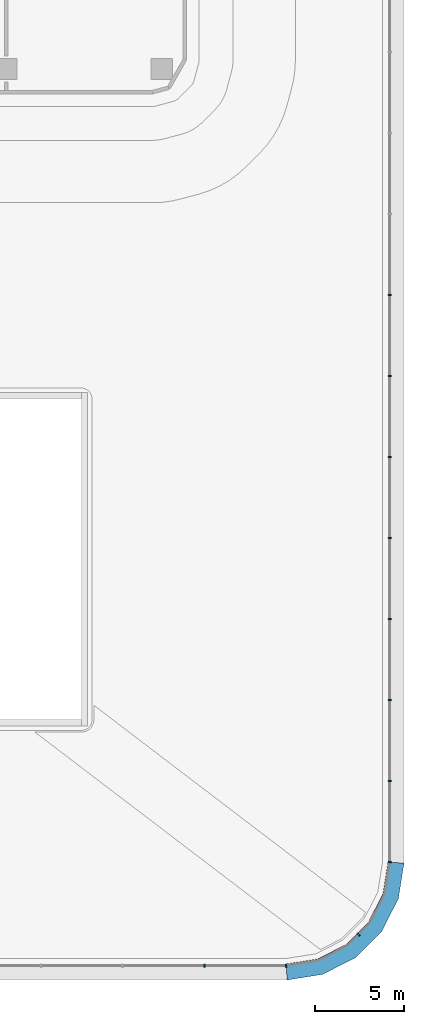
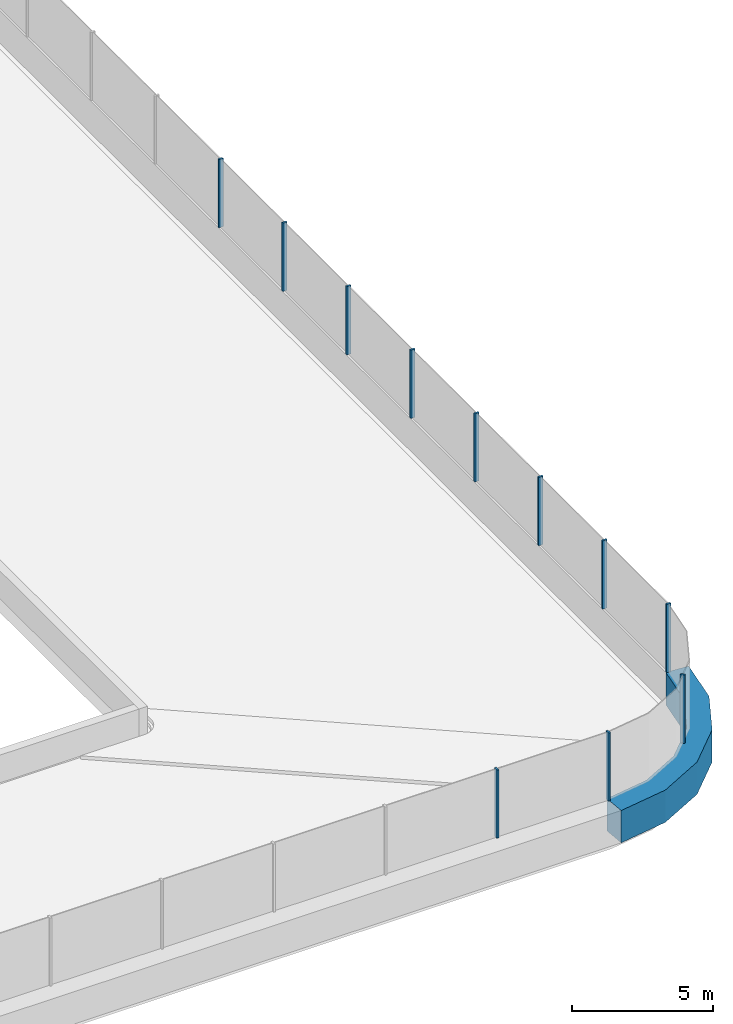
# One storey, part 9 of 37: 12 members, 3 elements without a shape of their own.
"""IFC4 building model written with IfcOpenShell, lengths in metres."""

from ifc_helpers import new_model, si_unit, direction, frame, origin, origin_2d, place, context, subcontext, project, spatial, polyline, rectangle, outline, extrude, material, layer, layer_set, material_profile, profile_set, type_object, element, aggregate, save


model = new_model("IFC4")

# Units and contexts
model_context = context("Model", 3, precision=1e-05, world=origin(), true_north=direction((0.0, 1.0)))
body_context = subcontext(model_context, "Body", "Model", "MODEL_VIEW")
ifc_project = project(units=[si_unit("LENGTHUNIT", "METRE"), si_unit("AREAUNIT", "SQUARE_METRE"), si_unit("VOLUMEUNIT", "CUBIC_METRE"), si_unit("PLANEANGLEUNIT", "RADIAN"), si_unit("MASSUNIT", "GRAM", prefix="KILO")], contexts=[model_context])

# Site, building, storey
site_placement = place(None, origin())
site = spatial("IfcSite", under=ifc_project, at=site_placement, CompositionType="ELEMENT")
building_placement = place(site_placement, origin())
building = spatial("IfcBuilding", under=site, at=building_placement, Name="Tamarind Cross Interchange Tower", CompositionType="ELEMENT")
storey_placement = place(building_placement, frame((0.0, 0.0, 29.5)))
storey = spatial("IfcBuildingStorey", under=building, at=storey_placement, Name="L05", CompositionType="ELEMENT", Elevation=29.5)

# Curtain wall, member
ifc_material_1 = material(Name="Aluminium 6063-T6", Category="aluminium")
ifc_layer = layer(ifc_material_1, 0.179931640625)
ifc_layer_set = layer_set([ifc_layer], Name="Aluminium 6063-T6")
curtain_wall_type = type_object("IfcCurtainWallType", Name="Sky lobby curtain wall, fire-resisting glazing", PredefinedType="NOTDEFINED", material=ifc_layer_set)
curtain_wall_1_placement = place(storey_placement, origin())
curtain_wall_1 = element("IfcCurtainWall", 1, at=curtain_wall_1_placement, inside=storey, type_object=curtain_wall_type, Name="CWS-L05-07", PredefinedType="NOTDEFINED")
ifc_material_2 = material(Name="Aluminium and insulated spandrel panel", Category="aluminium")
member_type_1 = type_object("IfcMemberType", Name="Floor-edge blade transom", PredefinedType="USERDEFINED", material=ifc_material_2)
member_1_placement = place(storey_placement, origin())
member_1 = element("IfcMember", 2, at=member_1_placement, type_object=member_type_1, Name="CWT-L05-07", ObjectType="TRANSOM", PredefinedType="USERDEFINED", context=body_context, shape_type="SweptSolid", body=[
    extrude(outline(polyline([(54.976318359375, -55.699951171875), (56.76025390625, -55.41748046875), (58.34814453125, -54.6083984375), (59.6083984375, -53.34814453125), (60.41748046875, -51.76025390625), (60.699951171875, -49.976318359375), (61.60009765625, -50.047119140625), (61.2841796875, -52.041748046875), (60.345458984375, -53.8837890625), (58.8837890625, -55.345458984375), (57.041748046875, -56.2841796875), (55.047119140625, -56.60009765625), (54.976318359375, -55.699951171875)])), origin(), (0.0, 0.0, 1.0), 1.39990234375),
])

# Curtain wall, members
curtain_wall_2_placement = place(storey_placement, origin())
curtain_wall_2 = element("IfcCurtainWall", 3, at=curtain_wall_2_placement, inside=storey, type_object=curtain_wall_type, Name="CWS-L05-00", PredefinedType="NOTDEFINED")
ifc_material_profile = material_profile(ifc_material_1, rectangle(XDim=0.080078125, YDim=0.179931640625, at=origin_2d()), Name="Mullion CW4")
ifc_profile_set = profile_set([ifc_material_profile], Name="Aluminium 6063-T6")
member_type_2 = type_object("IfcMemberType", Name="Mullion CW4", PredefinedType="MULLION", material=ifc_profile_set)
member_2_placement = place(storey_placement, frame((60.800048828125, -49.984375, 1.39990234375), z_axis=(0.0, 0.0, 1.0), x_axis=(0.078459095728, 0.996917333733, 0.0)))
member_2 = element("IfcMember", 4, at=member_2_placement, type_object=member_type_2, Name="CWM-L05-00-00", PredefinedType="MULLION", context=body_context, shape_type="SweptSolid", body=[
    extrude(rectangle(XDim=0.080078125, YDim=0.179931640625, at=origin_2d()), origin(), (0.0, 0.0, 1.0), 2.960205078125),
])
member_3_placement = place(storey_placement, frame((60.800048828125, -45.440185546875, 1.39990234375), z_axis=(0.0, 0.0, 1.0), x_axis=(0.0, 1.0, 0.0)))
member_3 = element("IfcMember", 5, at=member_3_placement, type_object=member_type_2, Name="CWM-L05-00-01", PredefinedType="MULLION", context=body_context, shape_type="SweptSolid", body=[
    extrude(rectangle(XDim=0.080078125, YDim=0.179931640625, at=origin_2d()), origin(), (0.0, 0.0, 1.0), 2.960205078125),
])
member_4_placement = place(storey_placement, frame((60.800048828125, -40.896240234375, 1.39990234375), z_axis=(0.0, 0.0, 1.0), x_axis=(0.0, 1.0, 0.0)))
member_4 = element("IfcMember", 6, at=member_4_placement, type_object=member_type_2, Name="CWM-L05-00-02", PredefinedType="MULLION", context=body_context, shape_type="SweptSolid", body=[
    extrude(rectangle(XDim=0.080078125, YDim=0.179931640625, at=origin_2d()), origin(), (0.0, 0.0, 1.0), 2.960205078125),
])
member_5_placement = place(storey_placement, frame((60.800048828125, -36.352294921875, 1.39990234375), z_axis=(0.0, 0.0, 1.0), x_axis=(0.0, 1.0, 0.0)))
member_5 = element("IfcMember", 7, at=member_5_placement, type_object=member_type_2, Name="CWM-L05-00-03", PredefinedType="MULLION", context=body_context, shape_type="SweptSolid", body=[
    extrude(rectangle(XDim=0.080078125, YDim=0.179931640625, at=origin_2d()), origin(), (0.0, 0.0, 1.0), 2.960205078125),
])
member_6_placement = place(storey_placement, frame((60.800048828125, -31.80810546875, 1.39990234375), z_axis=(0.0, 0.0, 1.0), x_axis=(0.0, 1.0, 0.0)))
member_6 = element("IfcMember", 8, at=member_6_placement, type_object=member_type_2, Name="CWM-L05-00-04", PredefinedType="MULLION", context=body_context, shape_type="SweptSolid", body=[
    extrude(rectangle(XDim=0.080078125, YDim=0.179931640625, at=origin_2d()), origin(), (0.0, 0.0, 1.0), 2.960205078125),
])
member_7_placement = place(storey_placement, frame((60.800048828125, -27.26416015625, 1.39990234375), z_axis=(0.0, 0.0, 1.0), x_axis=(0.0, 1.0, 0.0)))
member_7 = element("IfcMember", 9, at=member_7_placement, type_object=member_type_2, Name="CWM-L05-00-05", PredefinedType="MULLION", context=body_context, shape_type="SweptSolid", body=[
    extrude(rectangle(XDim=0.080078125, YDim=0.179931640625, at=origin_2d()), origin(), (0.0, 0.0, 1.0), 2.960205078125),
])
member_8_placement = place(storey_placement, frame((60.800048828125, -22.72021484375, 1.39990234375), z_axis=(0.0, 0.0, 1.0), x_axis=(0.0, 1.0, 0.0)))
member_8 = element("IfcMember", 10, at=member_8_placement, type_object=member_type_2, Name="CWM-L05-00-06", PredefinedType="MULLION", context=body_context, shape_type="SweptSolid", body=[
    extrude(rectangle(XDim=0.080078125, YDim=0.179931640625, at=origin_2d()), origin(), (0.0, 0.0, 1.0), 2.960205078125),
])
member_9_placement = place(storey_placement, frame((60.800048828125, -18.176025390625, 1.39990234375), z_axis=(0.0, 0.0, 1.0), x_axis=(0.0, 1.0, 0.0)))
member_9 = element("IfcMember", 11, at=member_9_placement, type_object=member_type_2, Name="CWM-L05-00-07", PredefinedType="MULLION", context=body_context, shape_type="SweptSolid", body=[
    extrude(rectangle(XDim=0.080078125, YDim=0.179931640625, at=origin_2d()), origin(), (0.0, 0.0, 1.0), 2.960205078125),
])
aggregate(curtain_wall_2, [member_2, member_3, member_4, member_5, member_6, member_7, member_8, member_9])

# Curtain wall, member
curtain_wall_3_placement = place(storey_placement, origin())
curtain_wall_3 = element("IfcCurtainWall", 12, at=curtain_wall_3_placement, inside=storey, type_object=curtain_wall_type, Name="CWS-L05-06", PredefinedType="NOTDEFINED")
member_10_placement = place(storey_placement, frame((50.40234375, -55.800048828125, 1.39990234375), z_axis=(0.0, 0.0, 1.0), x_axis=(1.0, 0.0, 0.0)))
member_10 = element("IfcMember", 13, at=member_10_placement, type_object=member_type_2, Name="CWM-L05-06-23", PredefinedType="MULLION", context=body_context, shape_type="SweptSolid", body=[
    extrude(rectangle(XDim=0.080078125, YDim=0.179931640625, at=origin_2d()), origin(), (0.0, 0.0, 1.0), 2.960205078125),
])
aggregate(curtain_wall_3, [member_10])

# Member
member_11_placement = place(storey_placement, frame((54.984375, -55.800048828125, 1.39990234375), z_axis=(0.0, 0.0, 1.0), x_axis=(0.996917333733, 0.078459095728, 0.0)))
member_11 = element("IfcMember", 14, at=member_11_placement, type_object=member_type_2, Name="CWM-L05-07-00", PredefinedType="MULLION", context=body_context, shape_type="SweptSolid", body=[
    extrude(rectangle(XDim=0.080078125, YDim=0.179931640625, at=origin_2d()), origin(), (0.0, 0.0, 1.0), 2.960205078125),
])

member_12_placement = place(storey_placement, frame((59.049072265625, -54.049072265625, 1.39990234375), z_axis=(0.0, 0.0, 1.0), x_axis=(0.707106781187, 0.707106781187, 0.0)))
member_12 = element("IfcMember", 15, at=member_12_placement, type_object=member_type_2, Name="CWM-L05-07-01", PredefinedType="MULLION", context=body_context, shape_type="SweptSolid", body=[
    extrude(rectangle(XDim=0.080078125, YDim=0.179931640625, at=origin_2d()), origin(), (0.0, 0.0, 1.0), 2.960205078125),
])

aggregate(curtain_wall_1, [member_11, member_12, member_1])

save(model, "model.ifc")
